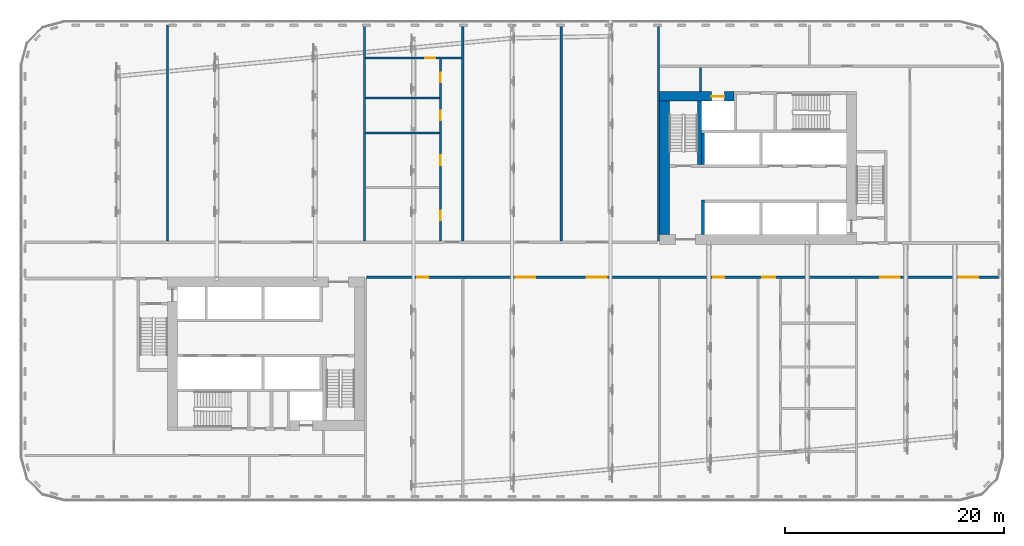
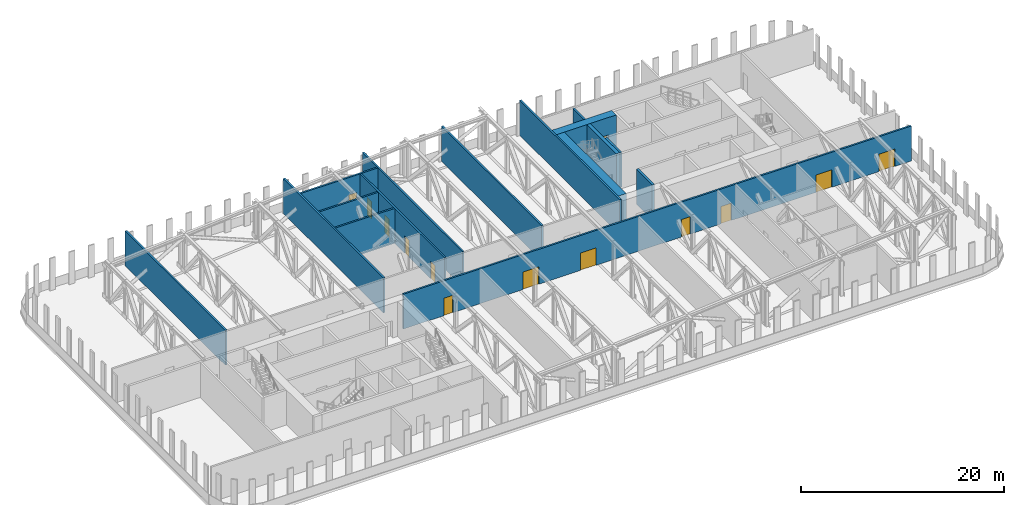
# One storey, part 8 of 22: 16 walls, 13 doors, 13 openings.
"""IFC4 building model written with IfcOpenShell, lengths in metres."""

from ifc_helpers import new_model, si_unit, direction, frame, frame_2d, origin, place, context, subcontext, project, spatial, rectangle, extrude, material, layer, layer_set, type_object, element, fill, save


model = new_model("IFC4")

# Units and contexts
model_context = context("Model", 3, precision=1e-05, world=origin(), true_north=direction((0.0, 1.0)))
body_context = subcontext(model_context, "Body", "Model", "MODEL_VIEW")
ifc_project = project(units=[si_unit("LENGTHUNIT", "METRE"), si_unit("AREAUNIT", "SQUARE_METRE"), si_unit("VOLUMEUNIT", "CUBIC_METRE"), si_unit("PLANEANGLEUNIT", "RADIAN"), si_unit("MASSUNIT", "GRAM", prefix="KILO")], contexts=[model_context])

# Site, building, storey
site_placement = place(None, origin())
site = spatial("IfcSite", under=ifc_project, at=site_placement, CompositionType="ELEMENT")
building_placement = place(site_placement, origin())
building = spatial("IfcBuilding", under=site, at=building_placement, Name="Kajstack Hotel Tower", CompositionType="ELEMENT")
storey_placement = place(building_placement, frame((0.0, 0.0, 99.60009765625)))
storey = spatial("IfcBuildingStorey", under=building, at=storey_placement, Name="L21", CompositionType="ELEMENT", Elevation=99.60009765625)

# Wall, opening, door
ifc_material_1 = material(Name="Concrete C60/75", Category="concrete")
ifc_layer_1 = layer(ifc_material_1, 0.89990234375)
ifc_layer_set_1 = layer_set([ifc_layer_1], Name="Core wall 900")
wall_type_1 = type_object("IfcWallType", Name="Core wall 900", PredefinedType="SHEAR", material=ifc_layer_set_1)
wall_1_placement = place(storey_placement, frame((13.5, 15.050048828125, 0.0), z_axis=(0.0, 0.0, 1.0), x_axis=(1.0, 0.0, 0.0)))
wall_1 = element("IfcWall", 1, at=wall_1_placement, inside=storey, type_object=wall_type_1, Name="Core wall E RS", PredefinedType="SHEAR", context=body_context, shape_type="SweptSolid", body=[
    extrude(rectangle(XDim=6.800048828125, YDim=0.89990234375, at=frame_2d((3.39990234375, 0.0))), origin(), (0.0, 0.0, 1.0), 4.199951171875),
])
opening_1_placement = place(wall_1_placement, frame((4.72509765625, 0.0, 0.0)))
opening_1 = element("IfcOpeningElement", 2, at=opening_1_placement, cuts=wall_1, Name="Opening LD-SV2", PredefinedType="OPENING", context=body_context, shape_type="SweptSolid", body=[
    extrude(rectangle(XDim=1.199951171875, YDim=2.10009765625, at=frame_2d((0.60009765625, 1.050048828125))), frame((0.0, 0.4599609375, 0.0), z_axis=(0.0, -1.0, 0.0), x_axis=(1.0, 0.0, 0.0)), (0.0, 0.0, 1.0), 0.919921875),
])
ifc_material_2 = material(Name="Stainless steel", Category="steel")
door_type_1 = type_object("IfcDoorType", Name="Lift landing door 1200", OperationType="SLIDING_TO_LEFT", PredefinedType="DOOR", material=ifc_material_2)
door_1_placement = place(opening_1_placement, origin())
door_1 = element("IfcDoor", 3, at=door_1_placement, inside=storey, type_object=door_type_1, Name="Landing door SV2", OperationType="SLIDING_TO_LEFT", OverallHeight=2.10009765625, OverallWidth=1.199951171875, PredefinedType="DOOR", context=body_context, shape_type="SweptSolid", body=[
    extrude(rectangle(XDim=1.199951171875, YDim=2.10009765625, at=frame_2d((0.60009765625, 1.050048828125))), frame((0.0, 0.02490234375, 0.0), z_axis=(0.0, -1.0, 0.0), x_axis=(1.0, 0.0, 0.0)), (0.0, 0.0, 1.0), 0.050048828125),
])
fill(opening_1, door_1)

# Walls
wall_2_placement = place(storey_placement, frame((13.949951171875, 2.39990234375, 0.0), z_axis=(0.0, 0.0, 1.0), x_axis=(0.0, 1.0, 0.0)))
element("IfcWall", 4, at=wall_2_placement, inside=storey, type_object=wall_type_1, Name="Core wall E RE", PredefinedType="SHEAR", context=body_context, shape_type="SweptSolid", body=[
    extrude(rectangle(XDim=12.2001953125, YDim=0.89990234375, at=frame_2d((6.10009765625, 0.0))), origin(), (0.0, 0.0, 1.0), 4.199951171875),
])
ifc_material_3 = material(Name="Gypsum board on steel studs, mineral wool", Category="steel")
ifc_layer_2 = layer(ifc_material_3, 0.199951171875)
ifc_layer_set_2 = layer_set([ifc_layer_2], Name="Public partition 200")
wall_type_2 = type_object("IfcWallType", Name="Public partition 200", PredefinedType="PARTITIONING", material=ifc_layer_set_2)
for number, where, z_axis, x_axis, name in (
    (5, (4.5, 1.800048828125, 0.0), (0.0, 0.0, 1.0), (0.0, 1.0, 0.0), "Partition PX0"),
    (6, (-4.5, 1.800048828125, 0.0), (0.0, 0.0, 1.0), (0.0, 1.0, 0.0), "Partition PX1"),
):
    element("IfcWall", number, at=place(storey_placement, frame(where, z_axis=z_axis, x_axis=x_axis)), inside=storey, type_object=wall_type_2, Name=name, PredefinedType="PARTITIONING", context=body_context, shape_type="SweptSolid", body=[
        extrude(rectangle(XDim=19.75, YDim=0.199951171875, at=frame_2d((9.875, 0.0))), origin(), (0.0, 0.0, 1.0), 4.199951171875),
    ])

# Wall, openings, doors
wall_3_placement = place(storey_placement, frame((-6.550048828125, 1.800048828125, 0.0), z_axis=(0.0, 0.0, 1.0), x_axis=(0.0, 1.0, 0.0)))
wall_3 = element("IfcWall", 7, at=wall_3_placement, inside=storey, type_object=wall_type_2, Name="Partition C2CW", PredefinedType="PARTITIONING", context=body_context, shape_type="SweptSolid", body=[
    extrude(rectangle(XDim=16.64990234375, YDim=0.199951171875, at=frame_2d((8.324951171875, 0.0))), origin(), (0.0, 0.0, 1.0), 4.199951171875),
])
opening_2_placement = place(wall_3_placement, frame((1.89990234375, 0.0, 0.0)))
opening_2 = element("IfcOpeningElement", 8, at=opening_2_placement, cuts=wall_3, Name="Opening 21P04", PredefinedType="OPENING", context=body_context, shape_type="SweptSolid", body=[
    extrude(rectangle(XDim=0.89990234375, YDim=2.10009765625, at=frame_2d((0.449951171875, 1.050048828125))), frame((0.0, 0.10986328125, 0.0), z_axis=(0.0, -1.0, 0.0), x_axis=(1.0, 0.0, 0.0)), (0.0, 0.0, 1.0), 0.219970703125),
])
opening_3_placement = place(wall_3_placement, frame((6.949951171875, 0.0, 0.0)))
opening_3 = element("IfcOpeningElement", 9, at=opening_3_placement, cuts=wall_3, Name="Opening 21P05", PredefinedType="OPENING", context=body_context, shape_type="SweptSolid", body=[
    extrude(rectangle(XDim=0.89990234375, YDim=2.10009765625, at=frame_2d((0.449951171875, 1.050048828125))), frame((0.0, 0.10986328125, 0.0), z_axis=(0.0, -1.0, 0.0), x_axis=(1.0, 0.0, 0.0)), (0.0, 0.0, 1.0), 0.219970703125),
])
opening_4_placement = place(wall_3_placement, frame((11.050048828125, 0.0, 0.0)))
opening_4 = element("IfcOpeningElement", 10, at=opening_4_placement, cuts=wall_3, Name="Opening 21P06", PredefinedType="OPENING", context=body_context, shape_type="SweptSolid", body=[
    extrude(rectangle(XDim=0.89990234375, YDim=2.10009765625, at=frame_2d((0.449951171875, 1.050048828125))), frame((0.0, 0.10986328125, 0.0), z_axis=(0.0, -1.0, 0.0), x_axis=(1.0, 0.0, 0.0)), (0.0, 0.0, 1.0), 0.219970703125),
])
opening_5_placement = place(wall_3_placement, frame((14.52490234375, 0.0, 0.0)))
opening_5 = element("IfcOpeningElement", 11, at=opening_5_placement, cuts=wall_3, Name="Opening 21P07", PredefinedType="OPENING", context=body_context, shape_type="SweptSolid", body=[
    extrude(rectangle(XDim=0.89990234375, YDim=2.10009765625, at=frame_2d((0.449951171875, 1.050048828125))), frame((0.0, 0.10986328125, 0.0), z_axis=(0.0, -1.0, 0.0), x_axis=(1.0, 0.0, 0.0)), (0.0, 0.0, 1.0), 0.219970703125),
])
ifc_material_4 = material(Name="Timber leaf", Category="wood")
door_type_2 = type_object("IfcDoorType", Name="Public room door 900", OperationType="SINGLE_SWING_LEFT", PredefinedType="DOOR", material=ifc_material_4)
door_2_placement = place(opening_2_placement, origin())
door_2 = element("IfcDoor", 12, at=door_2_placement, inside=storey, type_object=door_type_2, Name="Door 21P04", OperationType="SINGLE_SWING_LEFT", OverallHeight=2.10009765625, OverallWidth=0.89990234375, PredefinedType="DOOR", context=body_context, shape_type="SweptSolid", body=[
    extrude(rectangle(XDim=0.89990234375, YDim=2.10009765625, at=frame_2d((0.449951171875, 1.050048828125))), frame((0.0, 0.02490234375, 0.0), z_axis=(0.0, -1.0, 0.0), x_axis=(1.0, 0.0, 0.0)), (0.0, 0.0, 1.0), 0.050048828125),
])
fill(opening_2, door_2)
door_3_placement = place(opening_3_placement, origin())
door_3 = element("IfcDoor", 13, at=door_3_placement, inside=storey, type_object=door_type_2, Name="Door 21P05", OperationType="SINGLE_SWING_LEFT", OverallHeight=2.10009765625, OverallWidth=0.89990234375, PredefinedType="DOOR", context=body_context, shape_type="SweptSolid", body=[
    extrude(rectangle(XDim=0.89990234375, YDim=2.10009765625, at=frame_2d((0.449951171875, 1.050048828125))), frame((0.0, 0.02490234375, 0.0), z_axis=(0.0, -1.0, 0.0), x_axis=(1.0, 0.0, 0.0)), (0.0, 0.0, 1.0), 0.050048828125),
])
fill(opening_3, door_3)
door_4_placement = place(opening_4_placement, origin())
door_4 = element("IfcDoor", 14, at=door_4_placement, inside=storey, type_object=door_type_2, Name="Door 21P06", OperationType="SINGLE_SWING_LEFT", OverallHeight=2.10009765625, OverallWidth=0.89990234375, PredefinedType="DOOR", context=body_context, shape_type="SweptSolid", body=[
    extrude(rectangle(XDim=0.89990234375, YDim=2.10009765625, at=frame_2d((0.449951171875, 1.050048828125))), frame((0.0, 0.02490234375, 0.0), z_axis=(0.0, -1.0, 0.0), x_axis=(1.0, 0.0, 0.0)), (0.0, 0.0, 1.0), 0.050048828125),
])
fill(opening_4, door_4)
door_5_placement = place(opening_5_placement, origin())
door_5 = element("IfcDoor", 15, at=door_5_placement, inside=storey, type_object=door_type_2, Name="Door 21P07", OperationType="SINGLE_SWING_LEFT", OverallHeight=2.10009765625, OverallWidth=0.89990234375, PredefinedType="DOOR", context=body_context, shape_type="SweptSolid", body=[
    extrude(rectangle(XDim=0.89990234375, YDim=2.10009765625, at=frame_2d((0.449951171875, 1.050048828125))), frame((0.0, 0.02490234375, 0.0), z_axis=(0.0, -1.0, 0.0), x_axis=(1.0, 0.0, 0.0)), (0.0, 0.0, 1.0), 0.050048828125),
])
fill(opening_5, door_5)

# Walls
for number, where, z_axis, x_axis, name in (
    (16, (-13.39990234375, 11.699951171875, 0.0), (0.0, 0.0, 1.0), (1.0, 0.0, 0.0), "Partition C2wP1"),
    (17, (-13.39990234375, 14.89990234375, 0.0), (0.0, 0.0, 1.0), (1.0, 0.0, 0.0), "Partition C2wP2"),
):
    element("IfcWall", number, at=place(storey_placement, frame(where, z_axis=z_axis, x_axis=x_axis)), inside=storey, type_object=wall_type_2, Name=name, PredefinedType="PARTITIONING", context=body_context, shape_type="SweptSolid", body=[
        extrude(rectangle(XDim=6.75, YDim=0.199951171875, at=frame_2d((3.375, 0.0))), origin(), (0.0, 0.0, 1.0), 4.199951171875),
    ])

# Wall, opening, door
wall_4_placement = place(storey_placement, frame((-13.39990234375, 18.550048828125, 0.0), z_axis=(0.0, 0.0, 1.0), x_axis=(1.0, 0.0, 0.0)))
wall_4 = element("IfcWall", 18, at=wall_4_placement, inside=storey, type_object=wall_type_2, Name="Partition C2BW", PredefinedType="PARTITIONING", context=body_context, shape_type="SweptSolid", body=[
    extrude(rectangle(XDim=8.7998046875, YDim=0.199951171875, at=frame_2d((4.39990234375, 0.0))), origin(), (0.0, 0.0, 1.0), 4.199951171875),
])
opening_6_placement = place(wall_4_placement, frame((5.47509765625, 0.0, 0.0)))
opening_6 = element("IfcOpeningElement", 19, at=opening_6_placement, cuts=wall_4, Name="Opening 21P08", PredefinedType="OPENING", context=body_context, shape_type="SweptSolid", body=[
    extrude(rectangle(XDim=0.89990234375, YDim=2.10009765625, at=frame_2d((0.449951171875, 1.050048828125))), frame((0.0, 0.10986328125, 0.0), z_axis=(0.0, -1.0, 0.0), x_axis=(1.0, 0.0, 0.0)), (0.0, 0.0, 1.0), 0.219970703125),
])
door_6_placement = place(opening_6_placement, origin())
door_6 = element("IfcDoor", 20, at=door_6_placement, inside=storey, type_object=door_type_2, Name="Door 21P08", OperationType="SINGLE_SWING_LEFT", OverallHeight=2.10009765625, OverallWidth=0.89990234375, PredefinedType="DOOR", context=body_context, shape_type="SweptSolid", body=[
    extrude(rectangle(XDim=0.89990234375, YDim=2.10009765625, at=frame_2d((0.449951171875, 1.050048828125))), frame((0.0, 0.02490234375, 0.0), z_axis=(0.0, -1.0, 0.0), x_axis=(1.0, 0.0, 0.0)), (0.0, 0.0, 1.0), 0.050048828125),
])
fill(opening_6, door_6)

# Walls
for number, where, z_axis, x_axis, name in (
    (21, (-13.5, 1.800048828125, 0.0), (0.0, 0.0, 1.0), (0.0, 1.0, 0.0), "Partition PX2"),
    (22, (-31.5, 1.800048828125, 0.0), (0.0, 0.0, 1.0), (0.0, 1.0, 0.0), "Partition PX3"),
    (23, (13.39990234375, 1.800048828125, 0.0), (0.0, 0.0, 1.0), (0.0, 1.0, 0.0), "Partition EW"),
):
    element("IfcWall", number, at=place(storey_placement, frame(where, z_axis=z_axis, x_axis=x_axis)), inside=storey, type_object=wall_type_2, Name=name, PredefinedType="PARTITIONING", context=body_context, shape_type="SweptSolid", body=[
        extrude(rectangle(XDim=19.75, YDim=0.199951171875, at=frame_2d((9.875, 0.0))), origin(), (0.0, 0.0, 1.0), 4.199951171875),
    ])

# Wall, openings, doors
wall_5_placement = place(storey_placement, frame((-13.300048828125, -1.5, 0.0), z_axis=(0.0, 0.0, 1.0), x_axis=(1.0, 0.0, 0.0)))
wall_5 = element("IfcWall", 24, at=wall_5_placement, inside=storey, type_object=wall_type_2, Name="Partition SFW", PredefinedType="PARTITIONING", context=body_context, shape_type="SweptSolid", body=[
    extrude(rectangle(XDim=57.85009765625, YDim=0.199951171875, at=frame_2d((28.925048828125, 0.0))), origin(), (0.0, 0.0, 1.0), 4.199951171875),
])
opening_7_placement = place(wall_5_placement, frame((4.64990234375, 0.0, 0.0)))
opening_7 = element("IfcOpeningElement", 25, at=opening_7_placement, cuts=wall_5, Name="Opening 21P12", PredefinedType="OPENING", context=body_context, shape_type="SweptSolid", body=[
    extrude(rectangle(XDim=1.0, YDim=2.10009765625, at=frame_2d((0.5, 1.050048828125))), frame((0.0, 0.10986328125, 0.0), z_axis=(0.0, -1.0, 0.0), x_axis=(1.0, 0.0, 0.0)), (0.0, 0.0, 1.0), 0.219970703125),
])
opening_8_placement = place(wall_5_placement, frame((13.639892578125, 0.0, 0.0)))
opening_8 = element("IfcOpeningElement", 26, at=opening_8_placement, cuts=wall_5, Name="Opening 21P13", PredefinedType="OPENING", context=body_context, shape_type="SweptSolid", body=[
    extrude(rectangle(XDim=1.800048828125, YDim=2.10009765625, at=frame_2d((0.89990234375, 1.050048828125))), frame((0.0, 0.10986328125, 0.0), z_axis=(0.0, -1.0, 0.0), x_axis=(1.0, 0.0, 0.0)), (0.0, 0.0, 1.0), 0.219970703125),
])
opening_9_placement = place(wall_5_placement, frame((20.159912109375, 0.0, 0.0)))
opening_9 = element("IfcOpeningElement", 27, at=opening_9_placement, cuts=wall_5, Name="Opening 21P14", PredefinedType="OPENING", context=body_context, shape_type="SweptSolid", body=[
    extrude(rectangle(XDim=1.800048828125, YDim=2.10009765625, at=frame_2d((0.89990234375, 1.050048828125))), frame((0.0, 0.10986328125, 0.0), z_axis=(0.0, -1.0, 0.0), x_axis=(1.0, 0.0, 0.0)), (0.0, 0.0, 1.0), 0.219970703125),
])
opening_10_placement = place(wall_5_placement, frame((31.699951171875, 0.0, 0.0)))
opening_10 = element("IfcOpeningElement", 28, at=opening_10_placement, cuts=wall_5, Name="Opening 21P15", PredefinedType="OPENING", context=body_context, shape_type="SweptSolid", body=[
    extrude(rectangle(XDim=1.0, YDim=2.10009765625, at=frame_2d((0.5, 1.050048828125))), frame((0.0, 0.10986328125, 0.0), z_axis=(0.0, -1.0, 0.0), x_axis=(1.0, 0.0, 0.0)), (0.0, 0.0, 1.0), 0.219970703125),
])
opening_11_placement = place(wall_5_placement, frame((36.175048828125, 0.0, 0.0)))
opening_11 = element("IfcOpeningElement", 29, at=opening_11_placement, cuts=wall_5, Name="Opening 21P16", PredefinedType="OPENING", context=body_context, shape_type="SweptSolid", body=[
    extrude(rectangle(XDim=1.199951171875, YDim=2.10009765625, at=frame_2d((0.60009765625, 1.050048828125))), frame((0.0, 0.10986328125, 0.0), z_axis=(0.0, -1.0, 0.0), x_axis=(1.0, 0.0, 0.0)), (0.0, 0.0, 1.0), 0.219970703125),
])
opening_12_placement = place(wall_5_placement, frame((46.985107421875, 0.0, 0.0)))
opening_12 = element("IfcOpeningElement", 30, at=opening_12_placement, cuts=wall_5, Name="Opening 21P22", PredefinedType="OPENING", context=body_context, shape_type="SweptSolid", body=[
    extrude(rectangle(XDim=1.800048828125, YDim=2.10009765625, at=frame_2d((0.89990234375, 1.050048828125))), frame((0.0, 0.10986328125, 0.0), z_axis=(0.0, -1.0, 0.0), x_axis=(1.0, 0.0, 0.0)), (0.0, 0.0, 1.0), 0.219970703125),
])
opening_13_placement = place(wall_5_placement, frame((54.1650390625, 0.0, 0.0)))
opening_13 = element("IfcOpeningElement", 31, at=opening_13_placement, cuts=wall_5, Name="Opening 21P23", PredefinedType="OPENING", context=body_context, shape_type="SweptSolid", body=[
    extrude(rectangle(XDim=1.800048828125, YDim=2.10009765625, at=frame_2d((0.89990234375, 1.050048828125))), frame((0.0, 0.10986328125, 0.0), z_axis=(0.0, -1.0, 0.0), x_axis=(1.0, 0.0, 0.0)), (0.0, 0.0, 1.0), 0.219970703125),
])
ifc_material_5 = material(Name="Timber leaf, fire-rated", Category="wood")
door_type_3 = type_object("IfcDoorType", Name="Public corridor door 1200", OperationType="SINGLE_SWING_LEFT", PredefinedType="DOOR", material=ifc_material_5)
door_7_placement = place(opening_11_placement, origin())
door_7 = element("IfcDoor", 32, at=door_7_placement, inside=storey, type_object=door_type_3, Name="Door 21P16", OperationType="SINGLE_SWING_RIGHT", OverallHeight=2.10009765625, OverallWidth=1.199951171875, PredefinedType="DOOR", context=body_context, shape_type="SweptSolid", body=[
    extrude(rectangle(XDim=1.199951171875, YDim=2.10009765625, at=frame_2d((0.60009765625, 1.050048828125))), frame((0.0, 0.02490234375, 0.0), z_axis=(0.0, -1.0, 0.0), x_axis=(1.0, 0.0, 0.0)), (0.0, 0.0, 1.0), 0.050048828125),
])
fill(opening_11, door_7)
ifc_material_6 = material(Name="Glazed timber frame, fire-rated glass", Category="wood")
door_type_4 = type_object("IfcDoorType", Name="Public double door 1800", OperationType="DOUBLE_DOOR_DOUBLE_SWING", PredefinedType="DOOR", material=ifc_material_6)
door_8_placement = place(opening_8_placement, origin())
door_8 = element("IfcDoor", 33, at=door_8_placement, inside=storey, type_object=door_type_4, Name="Door 21P13", OperationType="DOUBLE_DOOR_DOUBLE_SWING", OverallHeight=2.10009765625, OverallWidth=1.800048828125, PredefinedType="DOOR", context=body_context, shape_type="SweptSolid", body=[
    extrude(rectangle(XDim=1.800048828125, YDim=2.10009765625, at=frame_2d((0.89990234375, 1.050048828125))), frame((0.0, 0.02490234375, 0.0), z_axis=(0.0, -1.0, 0.0), x_axis=(1.0, 0.0, 0.0)), (0.0, 0.0, 1.0), 0.050048828125),
])
fill(opening_8, door_8)
door_9_placement = place(opening_9_placement, origin())
door_9 = element("IfcDoor", 34, at=door_9_placement, inside=storey, type_object=door_type_4, Name="Door 21P14", OperationType="DOUBLE_DOOR_DOUBLE_SWING", OverallHeight=2.10009765625, OverallWidth=1.800048828125, PredefinedType="DOOR", context=body_context, shape_type="SweptSolid", body=[
    extrude(rectangle(XDim=1.800048828125, YDim=2.10009765625, at=frame_2d((0.89990234375, 1.050048828125))), frame((0.0, 0.02490234375, 0.0), z_axis=(0.0, -1.0, 0.0), x_axis=(1.0, 0.0, 0.0)), (0.0, 0.0, 1.0), 0.050048828125),
])
fill(opening_9, door_9)
door_10_placement = place(opening_12_placement, origin())
door_10 = element("IfcDoor", 35, at=door_10_placement, inside=storey, type_object=door_type_4, Name="Door 21P22", OperationType="DOUBLE_DOOR_DOUBLE_SWING", OverallHeight=2.10009765625, OverallWidth=1.800048828125, PredefinedType="DOOR", context=body_context, shape_type="SweptSolid", body=[
    extrude(rectangle(XDim=1.800048828125, YDim=2.10009765625, at=frame_2d((0.89990234375, 1.050048828125))), frame((0.0, 0.02490234375, 0.0), z_axis=(0.0, -1.0, 0.0), x_axis=(1.0, 0.0, 0.0)), (0.0, 0.0, 1.0), 0.050048828125),
])
fill(opening_12, door_10)
door_11_placement = place(opening_13_placement, origin())
door_11 = element("IfcDoor", 36, at=door_11_placement, inside=storey, type_object=door_type_4, Name="Door 21P23", OperationType="DOUBLE_DOOR_DOUBLE_SWING", OverallHeight=2.10009765625, OverallWidth=1.800048828125, PredefinedType="DOOR", context=body_context, shape_type="SweptSolid", body=[
    extrude(rectangle(XDim=1.800048828125, YDim=2.10009765625, at=frame_2d((0.89990234375, 1.050048828125))), frame((0.0, 0.02490234375, 0.0), z_axis=(0.0, -1.0, 0.0), x_axis=(1.0, 0.0, 0.0)), (0.0, 0.0, 1.0), 0.050048828125),
])
fill(opening_13, door_11)
door_type_5 = type_object("IfcDoorType", Name="Public room door 1000", OperationType="SINGLE_SWING_LEFT", PredefinedType="DOOR", material=ifc_material_4)
door_12_placement = place(opening_7_placement, origin())
door_12 = element("IfcDoor", 37, at=door_12_placement, inside=storey, type_object=door_type_5, Name="Door 21P12", OperationType="SINGLE_SWING_RIGHT", OverallHeight=2.10009765625, OverallWidth=1.0, PredefinedType="DOOR", context=body_context, shape_type="SweptSolid", body=[
    extrude(rectangle(XDim=1.0, YDim=2.10009765625, at=frame_2d((0.5, 1.050048828125))), frame((0.0, 0.02490234375, 0.0), z_axis=(0.0, -1.0, 0.0), x_axis=(1.0, 0.0, 0.0)), (0.0, 0.0, 1.0), 0.050048828125),
])
fill(opening_7, door_12)
door_13_placement = place(opening_10_placement, origin())
door_13 = element("IfcDoor", 38, at=door_13_placement, inside=storey, type_object=door_type_5, Name="Door 21P15", OperationType="SINGLE_SWING_RIGHT", OverallHeight=2.10009765625, OverallWidth=1.0, PredefinedType="DOOR", context=body_context, shape_type="SweptSolid", body=[
    extrude(rectangle(XDim=1.0, YDim=2.10009765625, at=frame_2d((0.5, 1.050048828125))), frame((0.0, 0.02490234375, 0.0), z_axis=(0.0, -1.0, 0.0), x_axis=(1.0, 0.0, 0.0)), (0.0, 0.0, 1.0), 0.050048828125),
])
fill(opening_10, door_13)

# Walls
ifc_layer_3 = layer(ifc_material_3, 0.199951171875)
ifc_layer_set_3 = layer_set([ifc_layer_3], Name="Service partition 200")
wall_type_3 = type_object("IfcWallType", Name="Service partition 200", PredefinedType="PARTITIONING", material=ifc_layer_set_3)
wall_6_placement = place(storey_placement, frame((17.25, 15.5, 0.0), z_axis=(0.0, 0.0, 1.0), x_axis=(0.0, 1.0, 0.0)))
element("IfcWall", 39, at=wall_6_placement, inside=storey, type_object=wall_type_3, Name="Partition E SCE", PredefinedType="PARTITIONING", context=body_context, shape_type="SweptSolid", body=[
    extrude(rectangle(XDim=2.199951171875, YDim=0.199951171875, at=frame_2d((1.10009765625, 0.0))), origin(), (0.0, 0.0, 1.0), 4.199951171875),
])
ifc_material_7 = material(Name="Concrete C50/60", Category="concrete")
ifc_layer_4 = layer(ifc_material_7, 0.25)
ifc_layer_set_4 = layer_set([ifc_layer_4], Name="Shaft wall 250")
wall_type_4 = type_object("IfcWallType", Name="Shaft wall 250", PredefinedType="SHEAR", material=ifc_layer_set_4)
wall_7_placement = place(storey_placement, frame((17.47509765625, 2.39990234375, 0.0), z_axis=(0.0, 0.0, 1.0), x_axis=(0.0, 1.0, 0.0)))
element("IfcWall", 40, at=wall_7_placement, inside=storey, type_object=wall_type_4, Name="Core wall E AE", PredefinedType="SHEAR", context=body_context, shape_type="SweptSolid", body=[
    extrude(rectangle(XDim=3.150146484375, YDim=0.25, at=frame_2d((1.5751953125, 0.0))), origin(), (0.0, 0.0, 1.0), 4.199951171875),
])
wall_8_placement = place(storey_placement, frame((17.47509765625, 8.800048828125, 0.0), z_axis=(0.0, 0.0, 1.0), x_axis=(0.0, 1.0, 0.0)))
element("IfcWall", 41, at=wall_8_placement, inside=storey, type_object=wall_type_4, Name="Core wall E BE", PredefinedType="SHEAR", context=body_context, shape_type="SweptSolid", body=[
    extrude(rectangle(XDim=2.89990234375, YDim=0.25, at=frame_2d((1.449951171875, 0.0))), origin(), (0.0, 0.0, 1.0), 4.199951171875),
])
ifc_layer_5 = layer(ifc_material_7, 0.39990234375)
ifc_layer_set_5 = layer_set([ifc_layer_5], Name="Stair wall 400")
wall_type_5 = type_object("IfcWallType", Name="Stair wall 400", PredefinedType="SHEAR", material=ifc_layer_set_5)
wall_9_placement = place(storey_placement, frame((17.14990234375, 8.800048828125, 0.0), z_axis=(0.0, 0.0, 1.0), x_axis=(0.0, 1.0, 0.0)))
element("IfcWall", 42, at=wall_9_placement, inside=storey, type_object=wall_type_5, Name="Core wall E WW2", PredefinedType="SHEAR", context=body_context, shape_type="SweptSolid", body=[
    extrude(rectangle(XDim=5.800048828125, YDim=0.39990234375, at=frame_2d((2.89990234375, 0.0))), origin(), (0.0, 0.0, 1.0), 4.199951171875),
])

save(model, "model.ifc")
